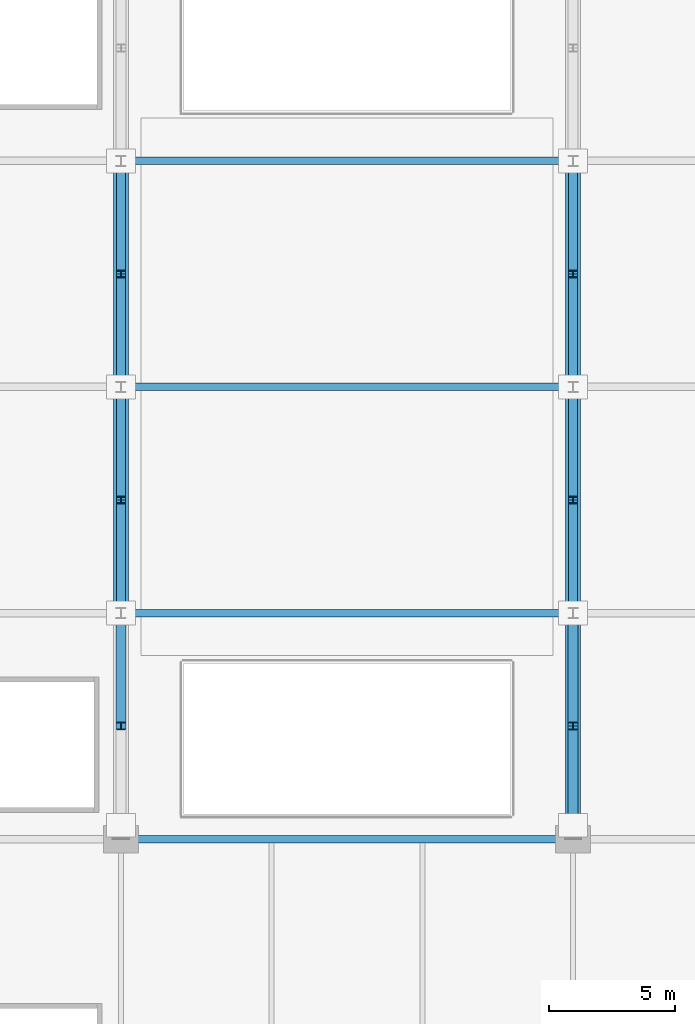
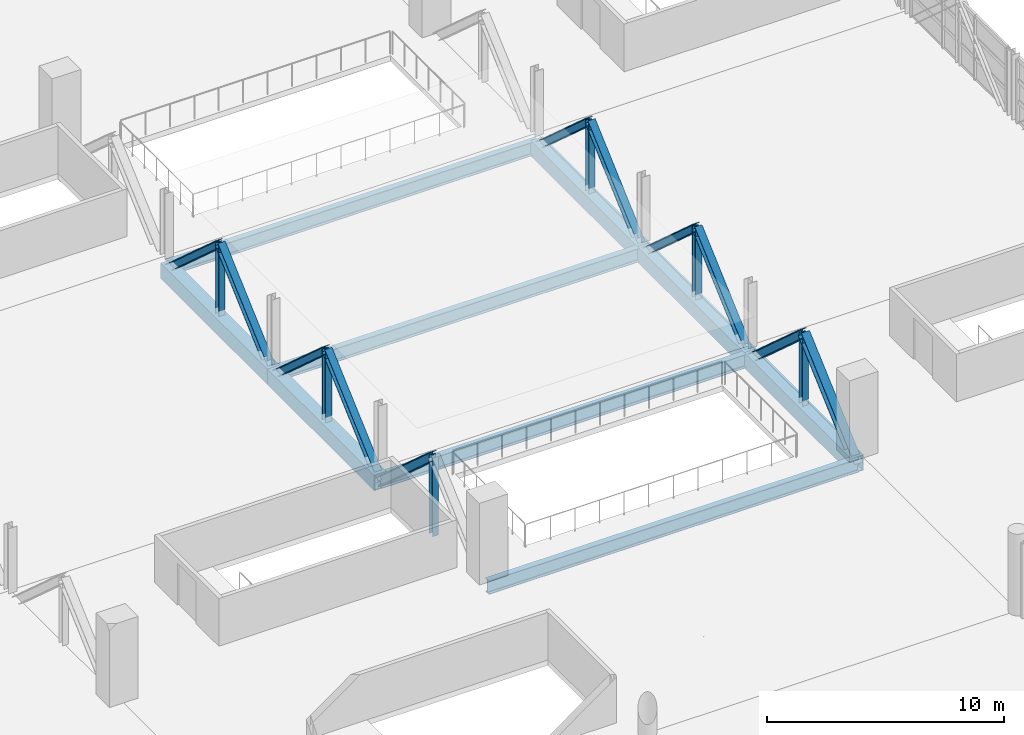
# One storey, part 40 of 136: 17 members, 9 beams.
"""IFC4 building model written with IfcOpenShell, lengths in metres."""

from ifc_helpers import new_model, si_unit, direction, frame, origin, origin_2d, place, context, subcontext, project, spatial, hollow_rectangle, i_section, extrude, material, material_profile, profile_set, type_object, element, save


model = new_model("IFC4")

# Units and contexts
model_context = context("Model", 3, precision=1e-05, world=origin(), true_north=direction((0.0, 1.0)))
body_context = subcontext(model_context, "Body", "Model", "MODEL_VIEW")
ifc_project = project(units=[si_unit("LENGTHUNIT", "METRE"), si_unit("AREAUNIT", "SQUARE_METRE"), si_unit("VOLUMEUNIT", "CUBIC_METRE"), si_unit("PLANEANGLEUNIT", "RADIAN"), si_unit("MASSUNIT", "GRAM", prefix="KILO")], contexts=[model_context])

# Site, building, storey
site_placement = place(None, origin())
site = spatial("IfcSite", under=ifc_project, at=site_placement, CompositionType="ELEMENT")
building_placement = place(site_placement, origin())
building = spatial("IfcBuilding", under=site, at=building_placement, Name="Chuanluo Vaults Station", CompositionType="ELEMENT")
storey_placement = place(building_placement, frame((0.0, 0.0, 6.60009765625)))
storey = spatial("IfcBuildingStorey", under=building, at=storey_placement, Name="L01", CompositionType="ELEMENT", Elevation=6.60009765625)

# Beams
ifc_material_1 = material(Name="Steel Q355C", Category="steel")
ifc_material_profile_1 = material_profile(ifc_material_1, i_section(OverallWidth=0.300048828125, OverallDepth=0.699951171875, WebThickness=0.012939453125, FlangeThickness=0.02392578125, FilletRadius=0.02197265625, at=origin_2d()))
ifc_profile_set_1 = profile_set([ifc_material_profile_1], Name="Steel Q355C")
beam_type_1 = type_object("IfcBeamType", Name="BM-GRD-700", PredefinedType="USERDEFINED", material=ifc_profile_set_1)
for number, where, z_axis, x_axis, name in (
    (1, (72.0, 67.5, -0.630126953125), (1.0, 0.0, 0.0), (0.0, 1.0, 0.0), "Floor girder BM:GX:L01:0337"),
    (2, (72.0, 76.5, -0.630126953125), (1.0, 0.0, 0.0), (0.0, 1.0, 0.0), "Over-track concourse floor girder 5-76"),
    (3, (72.0, 85.5, -0.630126953125), (1.0, 0.0, 0.0), (0.0, 1.0, 0.0), "Over-track concourse floor girder 5-85"),
    (4, (72.0, 94.5, -0.630126953125), (1.0, 0.0, 0.0), (0.0, 1.0, 0.0), "Over-track concourse floor girder 5-94"),
):
    element("IfcBeam", number, at=place(storey_placement, frame(where, z_axis=z_axis, x_axis=x_axis)), inside=storey, type_object=beam_type_1, Name=name, ObjectType="GIRDER", PredefinedType="USERDEFINED", context=body_context, shape_type="SweptSolid", body=[
        extrude(i_section(OverallWidth=0.300048828125, OverallDepth=0.699951171875, WebThickness=0.012939453125, FlangeThickness=0.02392578125, FilletRadius=0.02197265625, at=origin_2d()), origin(), (0.0, 0.0, 1.0), 18.0),
    ])
ifc_material_2 = material(Name="Steel Q390C", Category="steel")
ifc_material_profile_2 = material_profile(ifc_material_2, hollow_rectangle(XDim=0.60009765625, YDim=0.800048828125, WallThickness=0.031982421875, at=origin_2d()))
ifc_profile_set_2 = profile_set([ifc_material_profile_2], Name="Steel Q390C")
beam_type_2 = type_object("IfcBeamType", Name="BM-TT-BOT", PredefinedType="USERDEFINED", material=ifc_profile_set_2)
for number, where, z_axis, x_axis, name in (
    (5, (72.0, 76.5, -0.68017578125), (0.0, 1.0, 0.0), (-1.0, 0.0, 0.0), "Transfer truss TT-5 bottom chord 2"),
    (6, (72.0, 85.5, -0.68017578125), (0.0, 1.0, 0.0), (-1.0, 0.0, 0.0), "Transfer truss TT-5 bottom chord 3"),
    (7, (90.0, 67.5, -0.68017578125), (0.0, 1.0, 0.0), (-1.0, 0.0, 0.0), "Transfer truss TT-6 bottom chord 1"),
    (8, (90.0, 76.5, -0.68017578125), (0.0, 1.0, 0.0), (-1.0, 0.0, 0.0), "Transfer truss TT-6 bottom chord 2"),
    (9, (90.0, 85.5, -0.68017578125), (0.0, 1.0, 0.0), (-1.0, 0.0, 0.0), "Transfer truss TT-6 bottom chord 3"),
):
    element("IfcBeam", number, at=place(storey_placement, frame(where, z_axis=z_axis, x_axis=x_axis)), inside=storey, type_object=beam_type_2, Name=name, ObjectType="GIRDER", PredefinedType="USERDEFINED", context=body_context, shape_type="SweptSolid", body=[
        extrude(hollow_rectangle(XDim=0.60009765625, YDim=0.800048828125, WallThickness=0.031982421875, at=origin_2d()), origin(), (0.0, 0.0, 1.0), 9.0),
    ])

# Members
ifc_material_3 = material(Name="Steel Q390C", Category="steel")
ifc_material_profile_3 = material_profile(ifc_material_3, i_section(OverallWidth=0.35009765625, OverallDepth=0.35009765625, WebThickness=0.011962890625, FlangeThickness=0.01904296875, FilletRadius=0.02001953125, at=origin_2d()))
ifc_profile_set_3 = profile_set([ifc_material_profile_3], Name="Steel Q390C")
member_type_1 = type_object("IfcMemberType", Name="MEM-DIAG-350", PredefinedType="BRACE", material=ifc_profile_set_3)
for number, where, z_axis, x_axis, name in (
    (10, (72.0, 76.5, -0.68017578125), (0.0, 0.744935757439, 0.667136205949), (-1.0, 0.0, 0.0), "Transfer truss TT-5 diagonal 2A"),
    (11, (72.0, 81.0, 3.349853515625), (0.0, 0.744935757439, -0.667136205949), (-1.0, 0.0, 0.0), "Transfer truss TT-5 diagonal 2B"),
    (12, (72.0, 85.5, -0.68017578125), (0.0, 0.744935757439, 0.667136205949), (-1.0, 0.0, 0.0), "Transfer truss TT-5 diagonal 3A"),
    (13, (72.0, 90.0, 3.349853515625), (0.0, 0.744935757439, -0.667136205949), (-1.0, 0.0, 0.0), "Transfer truss TT-5 diagonal 3B"),
    (14, (90.0, 76.5, -0.68017578125), (0.0, 0.744935757439, 0.667136205949), (-1.0, 0.0, 0.0), "Transfer truss TT-6 diagonal 2A"),
    (15, (90.0, 81.0, 3.349853515625), (0.0, 0.744935757439, -0.667136205949), (-1.0, 0.0, 0.0), "Transfer truss TT-6 diagonal 2B"),
    (16, (90.0, 85.5, -0.68017578125), (0.0, 0.744935757439, 0.667136205949), (-1.0, 0.0, 0.0), "Transfer truss TT-6 diagonal 3A"),
    (17, (90.0, 90.0, 3.349853515625), (0.0, 0.744935757439, -0.667136205949), (-1.0, 0.0, 0.0), "Transfer truss TT-6 diagonal 3B"),
):
    element("IfcMember", number, at=place(storey_placement, frame(where, z_axis=z_axis, x_axis=x_axis)), inside=storey, type_object=member_type_1, Name=name, PredefinedType="BRACE", context=body_context, shape_type="SweptSolid", body=[
        extrude(i_section(OverallWidth=0.35009765625, OverallDepth=0.35009765625, WebThickness=0.011962890625, FlangeThickness=0.01904296875, FilletRadius=0.02001953125, at=origin_2d()), origin(), (0.0, 0.0, 1.0), 6.040771484375),
    ])
ifc_material_4 = material(Name="Steel Q390C", Category="steel")
ifc_material_profile_4 = material_profile(ifc_material_4, i_section(OverallWidth=0.39990234375, OverallDepth=0.407958984375, WebThickness=0.02099609375, FlangeThickness=0.02099609375, FilletRadius=0.02197265625, at=origin_2d()))
ifc_profile_set_4 = profile_set([ifc_material_profile_4], Name="Steel Q390C")
member_type_2 = type_object("IfcMemberType", Name="MEM-DIAG-408", PredefinedType="BRACE", material=ifc_profile_set_4)
for number, where, z_axis, x_axis, name in (
    (18, (72.0, 72.0, 3.349853515625), (0.0, 0.744935757439, -0.667136205949), (-1.0, 0.0, 0.0), "Transfer truss TT-5 diagonal 1B"),
    (19, (90.0, 67.5, -0.68017578125), (0.0, 0.744935757439, 0.667136205949), (-1.0, 0.0, 0.0), "Transfer truss TT-6 diagonal 1A"),
    (20, (90.0, 72.0, 3.349853515625), (0.0, 0.744935757439, -0.667136205949), (-1.0, 0.0, 0.0), "Transfer truss TT-6 diagonal 1B"),
):
    element("IfcMember", number, at=place(storey_placement, frame(where, z_axis=z_axis, x_axis=x_axis)), inside=storey, type_object=member_type_2, Name=name, PredefinedType="BRACE", context=body_context, shape_type="SweptSolid", body=[
        extrude(i_section(OverallWidth=0.39990234375, OverallDepth=0.407958984375, WebThickness=0.02099609375, FlangeThickness=0.02099609375, FilletRadius=0.02197265625, at=origin_2d()), origin(), (0.0, 0.0, 1.0), 6.040771484375),
    ])
ifc_material_5 = material(Name="Steel Q390C", Category="steel")
ifc_material_profile_5 = material_profile(ifc_material_5, i_section(OverallWidth=0.300048828125, OverallDepth=0.300048828125, WebThickness=0.010009765625, FlangeThickness=0.014892578125, FilletRadius=0.01806640625, at=origin_2d()))
ifc_profile_set_5 = profile_set([ifc_material_profile_5], Name="Steel Q390C")
member_type_3 = type_object("IfcMemberType", Name="MEM-VERT-300", PredefinedType="POST", material=ifc_profile_set_5)
for number, where, z_axis, x_axis, name in (
    (21, (72.0, 72.0, -0.68017578125), (0.0, 0.0, 1.0), (1.0, 0.0, 0.0), "Transfer truss TT-5 mid-panel hanger 1"),
    (22, (72.0, 81.0, -0.68017578125), (0.0, 0.0, 1.0), (1.0, 0.0, 0.0), "Transfer truss TT-5 mid-panel hanger 2"),
    (23, (72.0, 90.0, -0.68017578125), (0.0, 0.0, 1.0), (1.0, 0.0, 0.0), "Transfer truss TT-5 mid-panel hanger 3"),
    (24, (90.0, 72.0, -0.68017578125), (0.0, 0.0, 1.0), (1.0, 0.0, 0.0), "Transfer truss TT-6 mid-panel hanger 1"),
    (25, (90.0, 81.0, -0.68017578125), (0.0, 0.0, 1.0), (1.0, 0.0, 0.0), "Transfer truss TT-6 mid-panel hanger 2"),
    (26, (90.0, 90.0, -0.68017578125), (0.0, 0.0, 1.0), (1.0, 0.0, 0.0), "Transfer truss TT-6 mid-panel hanger 3"),
):
    element("IfcMember", number, at=place(storey_placement, frame(where, z_axis=z_axis, x_axis=x_axis)), inside=storey, type_object=member_type_3, Name=name, PredefinedType="POST", context=body_context, shape_type="SweptSolid", body=[
        extrude(i_section(OverallWidth=0.300048828125, OverallDepth=0.300048828125, WebThickness=0.010009765625, FlangeThickness=0.014892578125, FilletRadius=0.01806640625, at=origin_2d()), origin(), (0.0, 0.0, 1.0), 4.030029296875),
    ])

save(model, "model.ifc")
